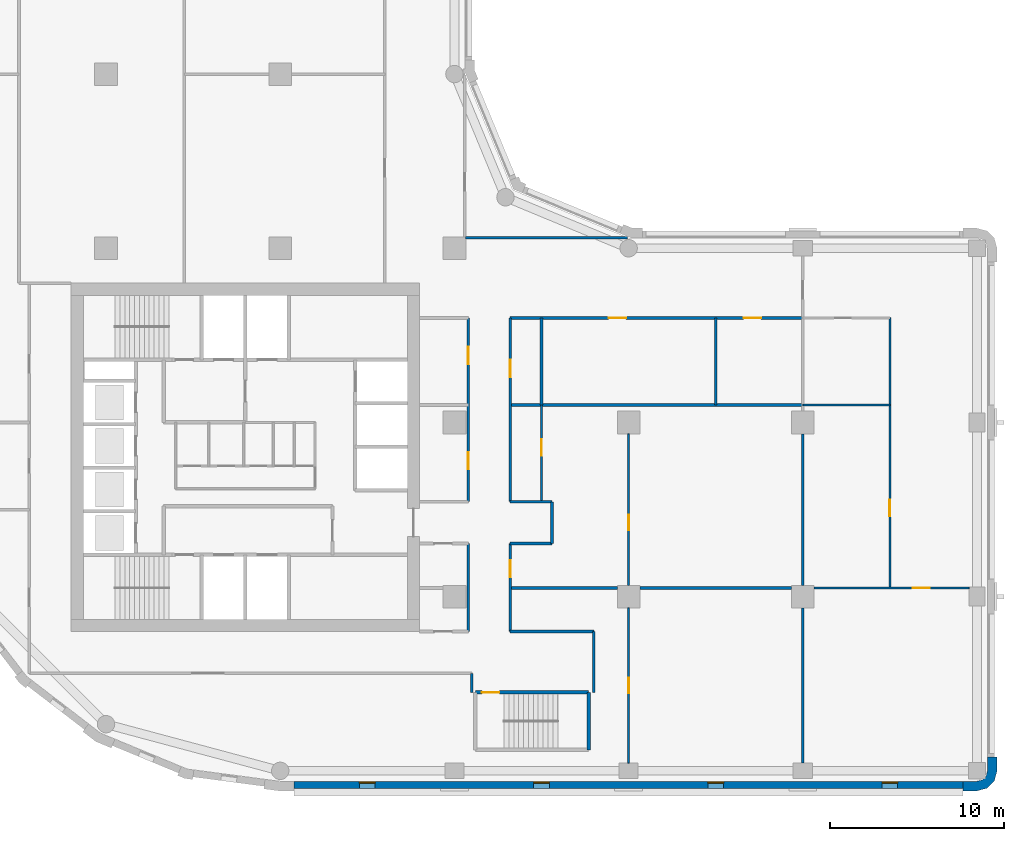
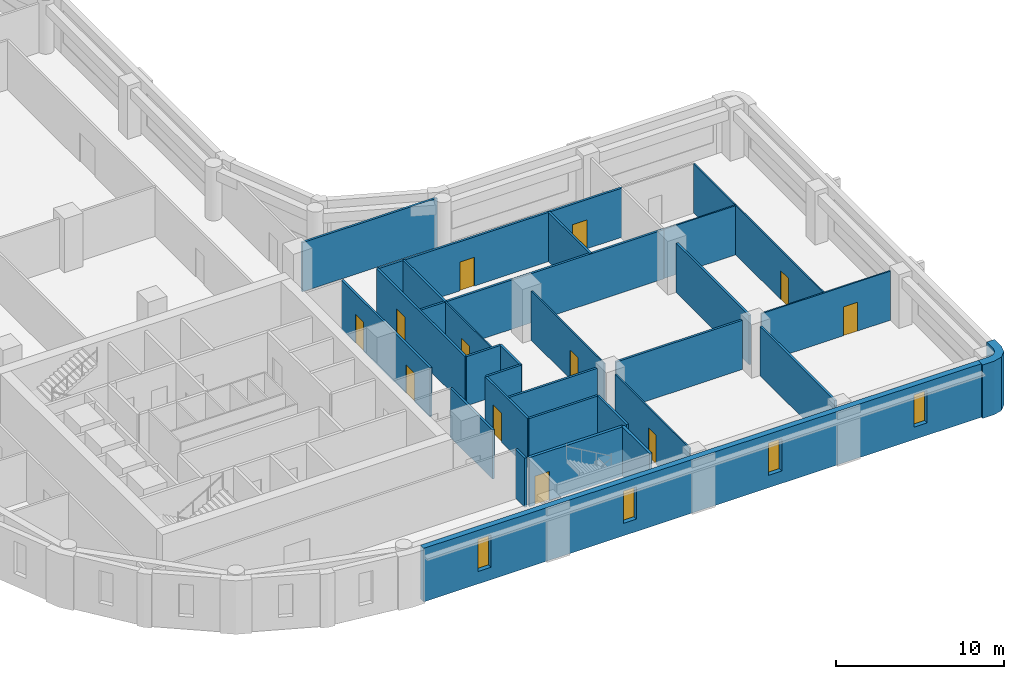
# One storey, part 4 of 10: 29 walls, 12 doors, 4 windows, 16 openings.
"""IFC4 building model written with IfcOpenShell, lengths in metres."""

from ifc_helpers import new_model, si_unit, direction, frame, frame_2d, origin, place, context, subcontext, project, spatial, polyline, rectangle, outline, extrude, material, layer, layer_set, type_object, element, fill, save


model = new_model("IFC4")

# Units and contexts
model_context = context("Model", 3, precision=1e-05, world=origin(), true_north=direction((0.0, 1.0)))
body_context = subcontext(model_context, "Body", "Model", "MODEL_VIEW")
ifc_project = project(units=[si_unit("LENGTHUNIT", "METRE"), si_unit("AREAUNIT", "SQUARE_METRE"), si_unit("VOLUMEUNIT", "CUBIC_METRE"), si_unit("PLANEANGLEUNIT", "RADIAN"), si_unit("MASSUNIT", "GRAM", prefix="KILO")], contexts=[model_context])

# Site, building, storey
site_placement = place(None, origin())
site = spatial("IfcSite", under=ifc_project, at=site_placement, CompositionType="ELEMENT")
building_placement = place(site_placement, origin())
building = spatial("IfcBuilding", under=site, at=building_placement, Name="Qaws Garden Tower", CompositionType="ELEMENT")
storey_placement = place(building_placement, frame((0.0, 0.0, 186.300048828125)))
storey = spatial("IfcBuildingStorey", under=building, at=storey_placement, Name="L45", CompositionType="ELEMENT", Elevation=186.300048828125)

# Wall
ifc_material_1 = material(Name="Clay facing brick masonry", Category="masonry")
ifc_layer_1 = layer(ifc_material_1, 0.550048828125)
ifc_layer_set_1 = layer_set([ifc_layer_1], Name="Clay facing brick masonry")
wall_type_1 = type_object("IfcWallType", Name="Brick corner pier 550 x 2400", PredefinedType="SOLIDWALL", material=ifc_layer_set_1)
wall_1_placement = place(storey_placement, origin())
element("IfcWall", 1, at=wall_1_placement, inside=storey, type_object=wall_type_1, Name="E-L45-pier-04", PredefinedType="SOLIDWALL", context=body_context, shape_type="SweptSolid", body=[
    extrude(outline(polyline([(59.199951171875, -1.0), (59.199951171875, -1.14990234375), (60.0, -1.14990234375), (60.574951171875, -0.995849609375), (60.995849609375, -0.574951171875), (61.14990234375, 0.0), (61.14990234375, 0.800048828125), (61.0, 0.800048828125), (60.60009765625, 0.800048828125), (60.60009765625, 0.0), (60.51953125, -0.300048828125), (60.300048828125, -0.51953125), (60.0, -0.60009765625), (59.199951171875, -0.60009765625), (59.199951171875, -1.0)])), origin(), (0.0, 0.0, 1.0), 3.89990234375),
])

# Wall, openings, windows
ifc_material_2 = material(Name="Clay facing brick masonry", Category="masonry")
ifc_layer_2 = layer(ifc_material_2, 0.39990234375)
ifc_layer_set_2 = layer_set([ifc_layer_2], Name="Clay facing brick masonry")
wall_type_2 = type_object("IfcWallType", Name="Brick infill wall 400", PredefinedType="SOLIDWALL", material=ifc_layer_set_2)
wall_2_placement = place(storey_placement, frame((20.800048828125, -0.800048828125, 0.0), z_axis=(0.0, 0.0, 1.0), x_axis=(1.0, 0.0, 0.0)))
wall_2 = element("IfcWall", 2, at=wall_2_placement, inside=storey, type_object=wall_type_2, Name="E-L45-infill-00", PredefinedType="SOLIDWALL", context=body_context, shape_type="SweptSolid", body=[
    extrude(rectangle(XDim=38.39990234375, YDim=0.39990234375, at=frame_2d((19.199951171875, 0.0))), origin(), (0.0, 0.0, 1.0), 3.89990234375),
])
opening_1_placement = place(wall_2_placement, frame((3.75, 0.0, 0.89990234375)))
opening_1 = element("IfcOpeningElement", 3, at=opening_1_placement, cuts=wall_2, Name="Opening W09", PredefinedType="OPENING", context=body_context, shape_type="SweptSolid", body=[
    extrude(rectangle(XDim=0.89990234375, YDim=2.35009765625, at=frame_2d((0.449951171875, 1.175048828125))), frame((0.0, 0.2099609375, 0.0), z_axis=(0.0, -1.0, 0.0), x_axis=(1.0, 0.0, 0.0)), (0.0, 0.0, 1.0), 0.419921875),
])
opening_2_placement = place(wall_2_placement, frame((13.75, 0.0, 0.89990234375)))
opening_2 = element("IfcOpeningElement", 4, at=opening_2_placement, cuts=wall_2, Name="Opening W09", PredefinedType="OPENING", context=body_context, shape_type="SweptSolid", body=[
    extrude(rectangle(XDim=0.89990234375, YDim=2.35009765625, at=frame_2d((0.449951171875, 1.175048828125))), frame((0.0, 0.2099609375, 0.0), z_axis=(0.0, -1.0, 0.0), x_axis=(1.0, 0.0, 0.0)), (0.0, 0.0, 1.0), 0.419921875),
])
opening_3_placement = place(wall_2_placement, frame((23.75, 0.0, 0.89990234375)))
opening_3 = element("IfcOpeningElement", 5, at=opening_3_placement, cuts=wall_2, Name="Opening W09", PredefinedType="OPENING", context=body_context, shape_type="SweptSolid", body=[
    extrude(rectangle(XDim=0.89990234375, YDim=2.35009765625, at=frame_2d((0.449951171875, 1.175048828125))), frame((0.0, 0.2099609375, 0.0), z_axis=(0.0, -1.0, 0.0), x_axis=(1.0, 0.0, 0.0)), (0.0, 0.0, 1.0), 0.419921875),
])
opening_4_placement = place(wall_2_placement, frame((33.75, 0.0, 0.89990234375)))
opening_4 = element("IfcOpeningElement", 6, at=opening_4_placement, cuts=wall_2, Name="Opening W09", PredefinedType="OPENING", context=body_context, shape_type="SweptSolid", body=[
    extrude(rectangle(XDim=0.89990234375, YDim=2.35009765625, at=frame_2d((0.449951171875, 1.175048828125))), frame((0.0, 0.2099609375, 0.0), z_axis=(0.0, -1.0, 0.0), x_axis=(1.0, 0.0, 0.0)), (0.0, 0.0, 1.0), 0.419921875),
])
ifc_material_3 = material(Name="Aluminium framed window, clear glazing", Category="aluminium")
window_type = type_object("IfcWindowType", Name="Slit window 900 x 2350", PartitioningType="SINGLE_PANEL", PredefinedType="WINDOW", material=ifc_material_3)
window_1_placement = place(opening_1_placement, origin())
window_1 = element("IfcWindow", 7, at=window_1_placement, inside=storey, type_object=window_type, Name="E-L45-window-00-0", OverallHeight=2.35009765625, OverallWidth=0.89990234375, PartitioningType="SINGLE_PANEL", PredefinedType="WINDOW", context=body_context, shape_type="SweptSolid", body=[
    extrude(rectangle(XDim=0.89990234375, YDim=2.35009765625, at=frame_2d((0.449951171875, 1.175048828125))), frame((0.0, 0.159912109375, 0.0), z_axis=(0.0, -1.0, 0.0), x_axis=(1.0, 0.0, 0.0)), (0.0, 0.0, 1.0), 0.06005859375),
])
fill(opening_1, window_1)
window_2_placement = place(opening_2_placement, origin())
window_2 = element("IfcWindow", 8, at=window_2_placement, inside=storey, type_object=window_type, Name="E-L45-window-01-0", OverallHeight=2.35009765625, OverallWidth=0.89990234375, PartitioningType="SINGLE_PANEL", PredefinedType="WINDOW", context=body_context, shape_type="SweptSolid", body=[
    extrude(rectangle(XDim=0.89990234375, YDim=2.35009765625, at=frame_2d((0.449951171875, 1.175048828125))), frame((0.0, 0.159912109375, 0.0), z_axis=(0.0, -1.0, 0.0), x_axis=(1.0, 0.0, 0.0)), (0.0, 0.0, 1.0), 0.06005859375),
])
fill(opening_2, window_2)
window_3_placement = place(opening_3_placement, origin())
window_3 = element("IfcWindow", 9, at=window_3_placement, inside=storey, type_object=window_type, Name="E-L45-window-02-0", OverallHeight=2.35009765625, OverallWidth=0.89990234375, PartitioningType="SINGLE_PANEL", PredefinedType="WINDOW", context=body_context, shape_type="SweptSolid", body=[
    extrude(rectangle(XDim=0.89990234375, YDim=2.35009765625, at=frame_2d((0.449951171875, 1.175048828125))), frame((0.0, 0.159912109375, 0.0), z_axis=(0.0, -1.0, 0.0), x_axis=(1.0, 0.0, 0.0)), (0.0, 0.0, 1.0), 0.06005859375),
])
fill(opening_3, window_3)
window_4_placement = place(opening_4_placement, origin())
window_4 = element("IfcWindow", 10, at=window_4_placement, inside=storey, type_object=window_type, Name="E-L45-window-03-0", OverallHeight=2.35009765625, OverallWidth=0.89990234375, PartitioningType="SINGLE_PANEL", PredefinedType="WINDOW", context=body_context, shape_type="SweptSolid", body=[
    extrude(rectangle(XDim=0.89990234375, YDim=2.35009765625, at=frame_2d((0.449951171875, 1.175048828125))), frame((0.0, 0.159912109375, 0.0), z_axis=(0.0, -1.0, 0.0), x_axis=(1.0, 0.0, 0.0)), (0.0, 0.0, 1.0), 0.06005859375),
])
fill(opening_4, window_4)

# Wall, opening, door
ifc_material_4 = material(Name="Concrete C70", Category="concrete")
ifc_layer_3 = layer(ifc_material_4, 0.199951171875)
ifc_layer_set_3 = layer_set([ifc_layer_3], Name="Concrete C70")
wall_type_3 = type_object("IfcWallType", Name="Core shaft wall 200 C70", PredefinedType="SHEAR", material=ifc_layer_set_3)
wall_3_placement = place(storey_placement, frame((31.199951171875, 4.5, 0.0), z_axis=(0.0, 0.0, 1.0), x_axis=(1.0, 0.0, 0.0)))
wall_3 = element("IfcWall", 11, at=wall_3_placement, inside=storey, type_object=wall_type_3, Name="Shaft wall", PredefinedType="SHEAR", context=body_context, shape_type="SweptSolid", body=[
    extrude(rectangle(XDim=6.5, YDim=0.199951171875, at=frame_2d((3.25, 0.0))), origin(), (0.0, 0.0, 1.0), 3.579833984375),
])
opening_5_placement = place(wall_3_placement, frame((0.375, 0.0, 0.0)))
opening_5 = element("IfcOpeningElement", 12, at=opening_5_placement, cuts=wall_3, Name="Opening SD12", PredefinedType="OPENING", context=body_context, shape_type="SweptSolid", body=[
    extrude(rectangle(XDim=1.0, YDim=2.10009765625, at=frame_2d((0.5, 1.050048828125))), frame((0.0, 0.10986328125, 0.0), z_axis=(0.0, -1.0, 0.0), x_axis=(1.0, 0.0, 0.0)), (0.0, 0.0, 1.0), 0.219970703125),
])
ifc_material_5 = material(Name="Steel S235", Category="steel")
door_type_1 = type_object("IfcDoorType", Name="Stair door 1000x2100", OperationType="SINGLE_SWING_RIGHT", PredefinedType="DOOR", material=ifc_material_5)
door_1_placement = place(opening_5_placement, frame((1.0, 0.0, 0.0), z_axis=(0.0, 0.0, 1.0), x_axis=(-1.0, 0.0, 0.0)))
door_1 = element("IfcDoor", 13, at=door_1_placement, inside=storey, type_object=door_type_1, Name="Stair 5 door", OperationType="SINGLE_SWING_RIGHT", OverallHeight=2.10009765625, OverallWidth=1.0, PredefinedType="DOOR", context=body_context, shape_type="SweptSolid", body=[
    extrude(rectangle(XDim=1.0, YDim=2.10009765625, at=frame_2d((0.5, 1.050048828125))), frame((0.0, 0.02490234375, 0.0), z_axis=(0.0, -1.0, 0.0), x_axis=(1.0, 0.0, 0.0)), (0.0, 0.0, 1.0), 0.050048828125),
])
fill(opening_5, door_1)

# Wall
wall_4_placement = place(storey_placement, frame((37.699951171875, 1.199951171875, 0.0), z_axis=(0.0, 0.0, 1.0), x_axis=(0.0, 1.0, 0.0)))
element("IfcWall", 14, at=wall_4_placement, inside=storey, type_object=wall_type_3, Name="Shaft wall", PredefinedType="SHEAR", context=body_context, shape_type="SweptSolid", body=[
    extrude(rectangle(XDim=3.300048828125, YDim=0.199951171875, at=frame_2d((1.64990234375, 0.0))), origin(), (0.0, 0.0, 1.0), 3.579833984375),
])

# Wall, opening, door
ifc_material_6 = material(Name="Gypsum board partition")
ifc_layer_4 = layer(ifc_material_6, 0.10009765625)
ifc_layer_set_4 = layer_set([ifc_layer_4], Name="Gypsum board partition")
wall_type_4 = type_object("IfcWallType", Name="PARTITION 100", PredefinedType="PARTITIONING", material=ifc_layer_set_4)
wall_5_placement = place(storey_placement, frame((35.0, 15.450927734375, 0.0), z_axis=(0.0, 0.0, 1.0), x_axis=(0.0, 1.0, 0.0)))
wall_5 = element("IfcWall", 15, at=wall_5_placement, inside=storey, type_object=wall_type_4, Name="O-L45-wall-001", PredefinedType="PARTITIONING", context=body_context, shape_type="SweptSolid", body=[
    extrude(rectangle(XDim=5.548095703125, YDim=0.10009765625, at=frame_2d((2.77392578125, 0.0))), origin(), (0.0, 0.0, 1.0), 3.579833984375),
])
opening_6_placement = place(wall_5_placement, frame((2.625, 0.0, 0.0)))
opening_6 = element("IfcOpeningElement", 16, at=opening_6_placement, cuts=wall_5, Name="Opening B525", PredefinedType="OPENING", context=body_context, shape_type="SweptSolid", body=[
    extrude(rectangle(XDim=0.949951171875, YDim=2.10009765625, at=frame_2d((0.47509765625, 1.050048828125))), frame((0.0, 0.06005859375, 0.0), z_axis=(0.0, -1.0, 0.0), x_axis=(1.0, 0.0, 0.0)), (0.0, 0.0, 1.0), 0.1201171875),
])
ifc_material_7 = material(Name="Timber and glass door leaf", Category="wood")
door_type_2 = type_object("IfcDoorType", Name="GLAZED DOOR 950 X 2100", OperationType="SINGLE_SWING_LEFT", PredefinedType="DOOR", material=ifc_material_7)
door_2_placement = place(opening_6_placement, origin())
door_2 = element("IfcDoor", 17, at=door_2_placement, inside=storey, type_object=door_type_2, Name="O-L45-door-025", OperationType="SINGLE_SWING_RIGHT", OverallHeight=2.10009765625, OverallWidth=0.949951171875, PredefinedType="DOOR", context=body_context, shape_type="SweptSolid", body=[
    extrude(rectangle(XDim=0.949951171875, YDim=2.10009765625, at=frame_2d((0.47509765625, 1.050048828125))), frame((0.0, 0.02490234375, 0.0), z_axis=(0.0, -1.0, 0.0), x_axis=(1.0, 0.0, 0.0)), (0.0, 0.0, 1.0), 0.050048828125),
])
fill(opening_6, door_2)

wall_6_placement = place(storey_placement, frame((40.0, 0.449951171875, 0.0), z_axis=(0.0, 0.0, 1.0), x_axis=(0.0, 1.0, 0.0)))
wall_6 = element("IfcWall", 18, at=wall_6_placement, inside=storey, type_object=wall_type_4, Name="O-L45-wall-002", PredefinedType="PARTITIONING", context=body_context, shape_type="SweptSolid", body=[
    extrude(rectangle(XDim=8.900146484375, YDim=0.10009765625, at=frame_2d((4.4501953125, 0.0))), origin(), (0.0, 0.0, 1.0), 3.579833984375),
])
opening_7_placement = place(wall_6_placement, frame((4.0, 0.0, 0.0)))
opening_7 = element("IfcOpeningElement", 19, at=opening_7_placement, cuts=wall_6, Name="Opening B522", PredefinedType="OPENING", context=body_context, shape_type="SweptSolid", body=[
    extrude(rectangle(XDim=0.89990234375, YDim=2.10009765625, at=frame_2d((0.449951171875, 1.050048828125))), frame((0.0, 0.06005859375, 0.0), z_axis=(0.0, -1.0, 0.0), x_axis=(1.0, 0.0, 0.0)), (0.0, 0.0, 1.0), 0.1201171875),
])
ifc_material_8 = material(Name="Timber door leaf", Category="wood")
door_type_3 = type_object("IfcDoorType", Name="OFFICE DOOR 900 X 2100", OperationType="SINGLE_SWING_LEFT", PredefinedType="DOOR", material=ifc_material_8)
door_3_placement = place(opening_7_placement, frame((0.89990234375, 0.0, 0.0), z_axis=(0.0, 0.0, 1.0), x_axis=(-1.0, 0.0, 0.0)))
door_3 = element("IfcDoor", 20, at=door_3_placement, inside=storey, type_object=door_type_3, Name="O-L45-door-022", OperationType="SINGLE_SWING_LEFT", OverallHeight=2.10009765625, OverallWidth=0.89990234375, PredefinedType="DOOR", context=body_context, shape_type="SweptSolid", body=[
    extrude(rectangle(XDim=0.89990234375, YDim=2.10009765625, at=frame_2d((0.449951171875, 1.050048828125))), frame((0.0, 0.02490234375, 0.0), z_axis=(0.0, -1.0, 0.0), x_axis=(1.0, 0.0, 0.0)), (0.0, 0.0, 1.0), 0.050048828125),
])
fill(opening_7, door_3)

wall_7_placement = place(storey_placement, frame((40.0, 10.64990234375, 0.0), z_axis=(0.0, 0.0, 1.0), x_axis=(0.0, 1.0, 0.0)))
wall_7 = element("IfcWall", 21, at=wall_7_placement, inside=storey, type_object=wall_type_4, Name="O-L45-wall-003", PredefinedType="PARTITIONING", context=body_context, shape_type="SweptSolid", body=[
    extrude(rectangle(XDim=8.7001953125, YDim=0.10009765625, at=frame_2d((4.35009765625, 0.0))), origin(), (0.0, 0.0, 1.0), 3.579833984375),
])
opening_8_placement = place(wall_7_placement, frame((3.14990234375, 0.0, 0.0)))
opening_8 = element("IfcOpeningElement", 22, at=opening_8_placement, cuts=wall_7, Name="Opening B520", PredefinedType="OPENING", context=body_context, shape_type="SweptSolid", body=[
    extrude(rectangle(XDim=0.89990234375, YDim=2.10009765625, at=frame_2d((0.449951171875, 1.050048828125))), frame((0.0, 0.06005859375, 0.0), z_axis=(0.0, -1.0, 0.0), x_axis=(1.0, 0.0, 0.0)), (0.0, 0.0, 1.0), 0.1201171875),
])
door_4_placement = place(opening_8_placement, origin())
door_4 = element("IfcDoor", 23, at=door_4_placement, inside=storey, type_object=door_type_3, Name="O-L45-door-020", OperationType="SINGLE_SWING_RIGHT", OverallHeight=2.10009765625, OverallWidth=0.89990234375, PredefinedType="DOOR", context=body_context, shape_type="SweptSolid", body=[
    extrude(rectangle(XDim=0.89990234375, YDim=2.10009765625, at=frame_2d((0.449951171875, 1.050048828125))), frame((0.0, 0.02490234375, 0.0), z_axis=(0.0, -1.0, 0.0), x_axis=(1.0, 0.0, 0.0)), (0.0, 0.0, 1.0), 0.050048828125),
])
fill(opening_8, door_4)

wall_8_placement = place(storey_placement, frame((55.0, 10.5, 0.0), z_axis=(0.0, 0.0, 1.0), x_axis=(0.0, 1.0, 0.0)))
wall_8 = element("IfcWall", 24, at=wall_8_placement, inside=storey, type_object=wall_type_4, Name="O-L45-wall-004", PredefinedType="PARTITIONING", context=body_context, shape_type="SweptSolid", body=[
    extrude(rectangle(XDim=15.5, YDim=0.10009765625, at=frame_2d((7.75, 0.0))), origin(), (0.0, 0.0, 1.0), 3.579833984375),
])
opening_9_placement = place(wall_8_placement, frame((4.125, 0.0, 0.0)))
opening_9 = element("IfcOpeningElement", 25, at=opening_9_placement, cuts=wall_8, Name="Opening B521", PredefinedType="OPENING", context=body_context, shape_type="SweptSolid", body=[
    extrude(rectangle(XDim=0.949951171875, YDim=2.10009765625, at=frame_2d((0.47509765625, 1.050048828125))), frame((0.0, 0.06005859375, 0.0), z_axis=(0.0, -1.0, 0.0), x_axis=(1.0, 0.0, 0.0)), (0.0, 0.0, 1.0), 0.1201171875),
])
door_5_placement = place(opening_9_placement, origin())
door_5 = element("IfcDoor", 26, at=door_5_placement, inside=storey, type_object=door_type_2, Name="O-L45-door-021", OperationType="SINGLE_SWING_RIGHT", OverallHeight=2.10009765625, OverallWidth=0.949951171875, PredefinedType="DOOR", context=body_context, shape_type="SweptSolid", body=[
    extrude(rectangle(XDim=0.949951171875, YDim=2.10009765625, at=frame_2d((0.47509765625, 1.050048828125))), frame((0.0, 0.02490234375, 0.0), z_axis=(0.0, -1.0, 0.0), x_axis=(1.0, 0.0, 0.0)), (0.0, 0.0, 1.0), 0.050048828125),
])
fill(opening_9, door_5)

wall_9_placement = place(storey_placement, frame((50.64990234375, 10.5, 0.0), z_axis=(0.0, 0.0, 1.0), x_axis=(1.0, 0.0, 0.0)))
wall_9 = element("IfcWall", 27, at=wall_9_placement, inside=storey, type_object=wall_type_4, Name="O-L45-wall-005", PredefinedType="PARTITIONING", context=body_context, shape_type="SweptSolid", body=[
    extrude(rectangle(XDim=8.900146484375, YDim=0.10009765625, at=frame_2d((4.4501953125, 0.0))), origin(), (0.0, 0.0, 1.0), 3.579833984375),
])
opening_10_placement = place(wall_9_placement, frame((5.675048828125, 0.0, 0.0)))
opening_10 = element("IfcOpeningElement", 28, at=opening_10_placement, cuts=wall_9, Name="Opening B523", PredefinedType="OPENING", context=body_context, shape_type="SweptSolid", body=[
    extrude(rectangle(XDim=0.949951171875, YDim=2.10009765625, at=frame_2d((0.47509765625, 1.050048828125))), frame((0.0, 0.06005859375, 0.0), z_axis=(0.0, -1.0, 0.0), x_axis=(1.0, 0.0, 0.0)), (0.0, 0.0, 1.0), 0.1201171875),
])
door_6_placement = place(opening_10_placement, frame((0.949951171875, 0.0, 0.0), z_axis=(0.0, 0.0, 1.0), x_axis=(-1.0, 0.0, 0.0)))
door_6 = element("IfcDoor", 29, at=door_6_placement, inside=storey, type_object=door_type_2, Name="O-L45-door-023", OperationType="SINGLE_SWING_RIGHT", OverallHeight=2.10009765625, OverallWidth=0.949951171875, PredefinedType="DOOR", context=body_context, shape_type="SweptSolid", body=[
    extrude(rectangle(XDim=0.949951171875, YDim=2.10009765625, at=frame_2d((0.47509765625, 1.050048828125))), frame((0.0, 0.02490234375, 0.0), z_axis=(0.0, -1.0, 0.0), x_axis=(1.0, 0.0, 0.0)), (0.0, 0.0, 1.0), 0.050048828125),
])
fill(opening_10, door_6)

# Walls
wall_10_placement = place(storey_placement, frame((50.0, 21.0, 0.0), z_axis=(0.0, 0.0, 1.0), x_axis=(1.0, 0.0, 0.0)))
element("IfcWall", 30, at=wall_10_placement, inside=storey, type_object=wall_type_4, Name="O-L45-wall-006", PredefinedType="PARTITIONING", context=body_context, shape_type="SweptSolid", body=[
    extrude(rectangle(XDim=5.0, YDim=0.10009765625, at=frame_2d((2.5, 0.0))), origin(), (0.0, 0.0, 1.0), 3.579833984375),
])
ifc_material_9 = material(Name="Gypsum board partition")
ifc_layer_5 = layer(ifc_material_9, 0.14990234375)
ifc_layer_set_5 = layer_set([ifc_layer_5], Name="Gypsum board partition")
wall_type_5 = type_object("IfcWallType", Name="PARTITION 150 EI 60", PredefinedType="PARTITIONING", material=ifc_layer_set_5)
wall_11_placement = place(storey_placement, frame((30.800048828125, 8.0, 0.0), z_axis=(0.0, 0.0, 1.0), x_axis=(0.0, 1.0, 0.0)))
element("IfcWall", 31, at=wall_11_placement, inside=storey, type_object=wall_type_5, Name="O-L45-wall-016", PredefinedType="PARTITIONING", context=body_context, shape_type="SweptSolid", body=[
    extrude(rectangle(XDim=5.050048828125, YDim=0.14990234375, at=frame_2d((2.52490234375, 0.0))), origin(), (0.0, 0.0, 1.0), 3.579833984375),
])

# Wall, openings, doors
wall_12_placement = place(storey_placement, frame((30.800048828125, 15.449951171875, 0.0), z_axis=(0.0, 0.0, 1.0), x_axis=(0.0, 1.0, 0.0)))
wall_12 = element("IfcWall", 32, at=wall_12_placement, inside=storey, type_object=wall_type_5, Name="O-L45-wall-017", PredefinedType="PARTITIONING", context=body_context, shape_type="SweptSolid", body=[
    extrude(rectangle(XDim=10.550048828125, YDim=0.14990234375, at=frame_2d((5.27490234375, 0.0))), origin(), (0.0, 0.0, 1.0), 3.579833984375),
])
opening_11_placement = place(wall_12_placement, frame((1.85009765625, 0.0, 0.0)))
opening_11 = element("IfcOpeningElement", 33, at=opening_11_placement, cuts=wall_12, Name="Opening B503", PredefinedType="OPENING", context=body_context, shape_type="SweptSolid", body=[
    extrude(rectangle(XDim=1.0, YDim=2.10009765625, at=frame_2d((0.5, 1.050048828125))), frame((0.0, 0.0849609375, 0.0), z_axis=(0.0, -1.0, 0.0), x_axis=(1.0, 0.0, 0.0)), (0.0, 0.0, 1.0), 0.169921875),
])
opening_12_placement = place(wall_12_placement, frame((7.89990234375, 0.0, 0.0)))
opening_12 = element("IfcOpeningElement", 34, at=opening_12_placement, cuts=wall_12, Name="Opening B515", PredefinedType="OPENING", context=body_context, shape_type="SweptSolid", body=[
    extrude(rectangle(XDim=1.0, YDim=2.10009765625, at=frame_2d((0.5, 1.050048828125))), frame((0.0, 0.0849609375, 0.0), z_axis=(0.0, -1.0, 0.0), x_axis=(1.0, 0.0, 0.0)), (0.0, 0.0, 1.0), 0.169921875),
])
ifc_material_10 = material(Name="Timber door leaf", Category="wood")
door_type_4 = type_object("IfcDoorType", Name="TENANCY ENTRANCE DOOR 1000 X 2100", OperationType="SINGLE_SWING_LEFT", PredefinedType="DOOR", material=ifc_material_10)
door_7_placement = place(opening_11_placement, origin())
door_7 = element("IfcDoor", 35, at=door_7_placement, inside=storey, type_object=door_type_4, Name="O-L45-door-003", OperationType="SINGLE_SWING_RIGHT", OverallHeight=2.10009765625, OverallWidth=1.0, PredefinedType="DOOR", context=body_context, shape_type="SweptSolid", body=[
    extrude(rectangle(XDim=1.0, YDim=2.10009765625, at=frame_2d((0.5, 1.050048828125))), frame((0.0, 0.02490234375, 0.0), z_axis=(0.0, -1.0, 0.0), x_axis=(1.0, 0.0, 0.0)), (0.0, 0.0, 1.0), 0.050048828125),
])
fill(opening_11, door_7)
door_8_placement = place(opening_12_placement, origin())
door_8 = element("IfcDoor", 36, at=door_8_placement, inside=storey, type_object=door_type_4, Name="O-L45-door-015", OperationType="SINGLE_SWING_RIGHT", OverallHeight=2.10009765625, OverallWidth=1.0, PredefinedType="DOOR", context=body_context, shape_type="SweptSolid", body=[
    extrude(rectangle(XDim=1.0, YDim=2.10009765625, at=frame_2d((0.5, 1.050048828125))), frame((0.0, 0.02490234375, 0.0), z_axis=(0.0, -1.0, 0.0), x_axis=(1.0, 0.0, 0.0)), (0.0, 0.0, 1.0), 0.050048828125),
])
fill(opening_12, door_8)

# Wall
wall_13_placement = place(storey_placement, frame((31.0, 4.5, 0.0), z_axis=(0.0, 0.0, 1.0), x_axis=(0.0, 1.0, 0.0)))
element("IfcWall", 37, at=wall_13_placement, inside=storey, type_object=wall_type_5, Name="O-L45-wall-018", PredefinedType="PARTITIONING", context=body_context, shape_type="SweptSolid", body=[
    extrude(rectangle(XDim=1.10009765625, YDim=0.14990234375, at=frame_2d((0.550048828125, 0.0))), origin(), (0.0, 0.0, 1.0), 3.579833984375),
])

# Wall, opening, door
wall_14_placement = place(storey_placement, frame((33.199951171875, 8.0, 0.0), z_axis=(0.0, 0.0, 1.0), x_axis=(0.0, 1.0, 0.0)))
wall_14 = element("IfcWall", 38, at=wall_14_placement, inside=storey, type_object=wall_type_5, Name="O-L45-wall-019", PredefinedType="PARTITIONING", context=body_context, shape_type="SweptSolid", body=[
    extrude(rectangle(XDim=5.049072265625, YDim=0.14990234375, at=frame_2d((2.5244140625, 0.0))), origin(), (0.0, 0.0, 1.0), 3.579833984375),
])
opening_13_placement = place(wall_14_placement, frame((3.10009765625, 0.0, 0.0)))
opening_13 = element("IfcOpeningElement", 39, at=opening_13_placement, cuts=wall_14, Name="Opening B504", PredefinedType="OPENING", context=body_context, shape_type="SweptSolid", body=[
    extrude(rectangle(XDim=1.0, YDim=2.10009765625, at=frame_2d((0.5, 1.050048828125))), frame((0.0, 0.0849609375, 0.0), z_axis=(0.0, -1.0, 0.0), x_axis=(1.0, 0.0, 0.0)), (0.0, 0.0, 1.0), 0.169921875),
])
door_9_placement = place(opening_13_placement, frame((1.0, 0.0, 0.0), z_axis=(0.0, 0.0, 1.0), x_axis=(-1.0, 0.0, 0.0)))
door_9 = element("IfcDoor", 40, at=door_9_placement, inside=storey, type_object=door_type_4, Name="O-L45-door-004", OperationType="SINGLE_SWING_RIGHT", OverallHeight=2.10009765625, OverallWidth=1.0, PredefinedType="DOOR", context=body_context, shape_type="SweptSolid", body=[
    extrude(rectangle(XDim=1.0, YDim=2.10009765625, at=frame_2d((0.5, 1.050048828125))), frame((0.0, 0.02490234375, 0.0), z_axis=(0.0, -1.0, 0.0), x_axis=(1.0, 0.0, 0.0)), (0.0, 0.0, 1.0), 0.050048828125),
])
fill(opening_13, door_9)

wall_15_placement = place(storey_placement, frame((33.199951171875, 15.449951171875, 0.0), z_axis=(0.0, 0.0, 1.0), x_axis=(0.0, 1.0, 0.0)))
wall_15 = element("IfcWall", 41, at=wall_15_placement, inside=storey, type_object=wall_type_5, Name="O-L45-wall-020", PredefinedType="PARTITIONING", context=body_context, shape_type="SweptSolid", body=[
    extrude(rectangle(XDim=10.550048828125, YDim=0.14990234375, at=frame_2d((5.27490234375, 0.0))), origin(), (0.0, 0.0, 1.0), 3.579833984375),
])
opening_14_placement = place(wall_15_placement, frame((7.14990234375, 0.0, 0.0)))
opening_14 = element("IfcOpeningElement", 42, at=opening_14_placement, cuts=wall_15, Name="Opening B516", PredefinedType="OPENING", context=body_context, shape_type="SweptSolid", body=[
    extrude(rectangle(XDim=1.0, YDim=2.10009765625, at=frame_2d((0.5, 1.050048828125))), frame((0.0, 0.0849609375, 0.0), z_axis=(0.0, -1.0, 0.0), x_axis=(1.0, 0.0, 0.0)), (0.0, 0.0, 1.0), 0.169921875),
])
door_10_placement = place(opening_14_placement, frame((1.0, 0.0, 0.0), z_axis=(0.0, 0.0, 1.0), x_axis=(-1.0, 0.0, 0.0)))
door_10 = element("IfcDoor", 43, at=door_10_placement, inside=storey, type_object=door_type_4, Name="O-L45-door-016", OperationType="SINGLE_SWING_LEFT", OverallHeight=2.10009765625, OverallWidth=1.0, PredefinedType="DOOR", context=body_context, shape_type="SweptSolid", body=[
    extrude(rectangle(XDim=1.0, YDim=2.10009765625, at=frame_2d((0.5, 1.050048828125))), frame((0.0, 0.02490234375, 0.0), z_axis=(0.0, -1.0, 0.0), x_axis=(1.0, 0.0, 0.0)), (0.0, 0.0, 1.0), 0.050048828125),
])
fill(opening_14, door_10)

# Walls
wall_16_placement = place(storey_placement, frame((35.0, 21.0, 0.0), z_axis=(0.0, 0.0, 1.0), x_axis=(0.0, 1.0, 0.0)))
element("IfcWall", 44, at=wall_16_placement, inside=storey, type_object=wall_type_5, Name="O-L45-wall-021", PredefinedType="PARTITIONING", context=body_context, shape_type="SweptSolid", body=[
    extrude(rectangle(XDim=5.0, YDim=0.14990234375, at=frame_2d((2.5, 0.0))), origin(), (0.0, 0.0, 1.0), 3.579833984375),
])
wall_17_placement = place(storey_placement, frame((35.60009765625, 13.052001953125, 0.0), z_axis=(0.0, 0.0, 1.0), x_axis=(0.0, 1.0, 0.0)))
element("IfcWall", 45, at=wall_17_placement, inside=storey, type_object=wall_type_5, Name="O-L45-wall-022", PredefinedType="PARTITIONING", context=body_context, shape_type="SweptSolid", body=[
    extrude(rectangle(XDim=2.39599609375, YDim=0.14990234375, at=frame_2d((1.197998046875, 0.0))), origin(), (0.0, 0.0, 1.0), 3.579833984375),
])
wall_18_placement = place(storey_placement, frame((38.0, 4.5, 0.0), z_axis=(0.0, 0.0, 1.0), x_axis=(0.0, 1.0, 0.0)))
element("IfcWall", 46, at=wall_18_placement, inside=storey, type_object=wall_type_5, Name="O-L45-wall-023", PredefinedType="PARTITIONING", context=body_context, shape_type="SweptSolid", body=[
    extrude(rectangle(XDim=3.5, YDim=0.14990234375, at=frame_2d((1.75, 0.0))), origin(), (0.0, 0.0, 1.0), 3.579833984375),
])
wall_19_placement = place(storey_placement, frame((45.0, 21.0, 0.0), z_axis=(0.0, 0.0, 1.0), x_axis=(0.0, 1.0, 0.0)))
element("IfcWall", 47, at=wall_19_placement, inside=storey, type_object=wall_type_5, Name="O-L45-wall-024", PredefinedType="PARTITIONING", context=body_context, shape_type="SweptSolid", body=[
    extrude(rectangle(XDim=5.0, YDim=0.14990234375, at=frame_2d((2.5, 0.0))), origin(), (0.0, 0.0, 1.0), 3.579833984375),
])
wall_20_placement = place(storey_placement, frame((50.0, 0.449951171875, 0.0), z_axis=(0.0, 0.0, 1.0), x_axis=(0.0, 1.0, 0.0)))
element("IfcWall", 48, at=wall_20_placement, inside=storey, type_object=wall_type_5, Name="O-L45-wall-025", PredefinedType="PARTITIONING", context=body_context, shape_type="SweptSolid", body=[
    extrude(rectangle(XDim=8.900146484375, YDim=0.14990234375, at=frame_2d((4.4501953125, 0.0))), origin(), (0.0, 0.0, 1.0), 3.579833984375),
])
wall_21_placement = place(storey_placement, frame((50.0, 10.64990234375, 0.0), z_axis=(0.0, 0.0, 1.0), x_axis=(0.0, 1.0, 0.0)))
element("IfcWall", 49, at=wall_21_placement, inside=storey, type_object=wall_type_5, Name="O-L45-wall-026", PredefinedType="PARTITIONING", context=body_context, shape_type="SweptSolid", body=[
    extrude(rectangle(XDim=8.7001953125, YDim=0.14990234375, at=frame_2d((4.35009765625, 0.0))), origin(), (0.0, 0.0, 1.0), 3.579833984375),
])
wall_22_placement = place(storey_placement, frame((33.199951171875, 8.0, 0.0), z_axis=(0.0, 0.0, 1.0), x_axis=(1.0, 0.0, 0.0)))
element("IfcWall", 50, at=wall_22_placement, inside=storey, type_object=wall_type_5, Name="O-L45-wall-030", PredefinedType="PARTITIONING", context=body_context, shape_type="SweptSolid", body=[
    extrude(rectangle(XDim=4.800048828125, YDim=0.14990234375, at=frame_2d((2.39990234375, 0.0))), origin(), (0.0, 0.0, 1.0), 3.579833984375),
])
wall_23_placement = place(storey_placement, frame((33.200927734375, 10.5, 0.0), z_axis=(0.0, 0.0, 1.0), x_axis=(1.0, 0.0, 0.0)))
element("IfcWall", 51, at=wall_23_placement, inside=storey, type_object=wall_type_5, Name="O-L45-wall-032", PredefinedType="PARTITIONING", context=body_context, shape_type="SweptSolid", body=[
    extrude(rectangle(XDim=6.149169921875, YDim=0.14990234375, at=frame_2d((3.07470703125, 0.0))), origin(), (0.0, 0.0, 1.0), 3.579833984375),
])
wall_24_placement = place(storey_placement, frame((40.64990234375, 10.5, 0.0), z_axis=(0.0, 0.0, 1.0), x_axis=(1.0, 0.0, 0.0)))
element("IfcWall", 52, at=wall_24_placement, inside=storey, type_object=wall_type_5, Name="O-L45-wall-033", PredefinedType="PARTITIONING", context=body_context, shape_type="SweptSolid", body=[
    extrude(rectangle(XDim=8.7001953125, YDim=0.14990234375, at=frame_2d((4.35009765625, 0.0))), origin(), (0.0, 0.0, 1.0), 3.579833984375),
])
wall_25_placement = place(storey_placement, frame((33.200927734375, 13.050048828125, 0.0), z_axis=(0.0, 0.0, 1.0), x_axis=(1.0, 0.0, 0.0)))
element("IfcWall", 53, at=wall_25_placement, inside=storey, type_object=wall_type_5, Name="O-L45-wall-035", PredefinedType="PARTITIONING", context=body_context, shape_type="SweptSolid", body=[
    extrude(rectangle(XDim=2.39697265625, YDim=0.14990234375, at=frame_2d((1.198486328125, 0.0))), origin(), (0.0, 0.0, 1.0), 3.579833984375),
])
wall_26_placement = place(storey_placement, frame((33.199951171875, 15.449951171875, 0.0), z_axis=(0.0, 0.0, 1.0), x_axis=(1.0, 0.0, 0.0)))
element("IfcWall", 54, at=wall_26_placement, inside=storey, type_object=wall_type_5, Name="O-L45-wall-038", PredefinedType="PARTITIONING", context=body_context, shape_type="SweptSolid", body=[
    extrude(rectangle(XDim=2.39794921875, YDim=0.14990234375, at=frame_2d((1.198974609375, 0.0))), origin(), (0.0, 0.0, 1.0), 3.579833984375),
])
wall_27_placement = place(storey_placement, frame((33.199951171875, 21.0, 0.0), z_axis=(0.0, 0.0, 1.0), x_axis=(1.0, 0.0, 0.0)))
element("IfcWall", 55, at=wall_27_placement, inside=storey, type_object=wall_type_5, Name="O-L45-wall-041", PredefinedType="PARTITIONING", context=body_context, shape_type="SweptSolid", body=[
    extrude(rectangle(XDim=16.800048828125, YDim=0.14990234375, at=frame_2d((8.39990234375, 0.0))), origin(), (0.0, 0.0, 1.0), 3.579833984375),
])

# Wall, openings, doors
wall_28_placement = place(storey_placement, frame((33.199951171875, 26.0, 0.0), z_axis=(0.0, 0.0, 1.0), x_axis=(1.0, 0.0, 0.0)))
wall_28 = element("IfcWall", 56, at=wall_28_placement, inside=storey, type_object=wall_type_5, Name="O-L45-wall-043", PredefinedType="PARTITIONING", context=body_context, shape_type="SweptSolid", body=[
    extrude(rectangle(XDim=16.800048828125, YDim=0.14990234375, at=frame_2d((8.39990234375, 0.0))), origin(), (0.0, 0.0, 1.0), 3.579833984375),
])
opening_15_placement = place(wall_28_placement, frame((5.64990234375, 0.0, 0.0)))
opening_15 = element("IfcOpeningElement", 57, at=opening_15_placement, cuts=wall_28, Name="Opening B517", PredefinedType="OPENING", context=body_context, shape_type="SweptSolid", body=[
    extrude(rectangle(XDim=1.0, YDim=2.10009765625, at=frame_2d((0.5, 1.050048828125))), frame((0.0, 0.0849609375, 0.0), z_axis=(0.0, -1.0, 0.0), x_axis=(1.0, 0.0, 0.0)), (0.0, 0.0, 1.0), 0.169921875),
])
opening_16_placement = place(wall_28_placement, frame((13.39990234375, 0.0, 0.0)))
opening_16 = element("IfcOpeningElement", 58, at=opening_16_placement, cuts=wall_28, Name="Opening B518", PredefinedType="OPENING", context=body_context, shape_type="SweptSolid", body=[
    extrude(rectangle(XDim=1.0, YDim=2.10009765625, at=frame_2d((0.5, 1.050048828125))), frame((0.0, 0.0849609375, 0.0), z_axis=(0.0, -1.0, 0.0), x_axis=(1.0, 0.0, 0.0)), (0.0, 0.0, 1.0), 0.169921875),
])
door_11_placement = place(opening_15_placement, frame((1.0, 0.0, 0.0), z_axis=(0.0, 0.0, 1.0), x_axis=(-1.0, 0.0, 0.0)))
door_11 = element("IfcDoor", 59, at=door_11_placement, inside=storey, type_object=door_type_4, Name="O-L45-door-017", OperationType="SINGLE_SWING_RIGHT", OverallHeight=2.10009765625, OverallWidth=1.0, PredefinedType="DOOR", context=body_context, shape_type="SweptSolid", body=[
    extrude(rectangle(XDim=1.0, YDim=2.10009765625, at=frame_2d((0.5, 1.050048828125))), frame((0.0, 0.02490234375, 0.0), z_axis=(0.0, -1.0, 0.0), x_axis=(1.0, 0.0, 0.0)), (0.0, 0.0, 1.0), 0.050048828125),
])
fill(opening_15, door_11)
door_12_placement = place(opening_16_placement, frame((1.0, 0.0, 0.0), z_axis=(0.0, 0.0, 1.0), x_axis=(-1.0, 0.0, 0.0)))
door_12 = element("IfcDoor", 60, at=door_12_placement, inside=storey, type_object=door_type_4, Name="O-L45-door-018", OperationType="SINGLE_SWING_RIGHT", OverallHeight=2.10009765625, OverallWidth=1.0, PredefinedType="DOOR", context=body_context, shape_type="SweptSolid", body=[
    extrude(rectangle(XDim=1.0, YDim=2.10009765625, at=frame_2d((0.5, 1.050048828125))), frame((0.0, 0.02490234375, 0.0), z_axis=(0.0, -1.0, 0.0), x_axis=(1.0, 0.0, 0.0)), (0.0, 0.0, 1.0), 0.050048828125),
])
fill(opening_16, door_12)

# Wall
wall_29_placement = place(storey_placement, frame((30.64990234375, 30.60009765625, 0.0), z_axis=(0.0, 0.0, 1.0), x_axis=(1.0, 0.0, 0.0)))
element("IfcWall", 61, at=wall_29_placement, inside=storey, type_object=wall_type_5, Name="O-L45-wall-045", PredefinedType="PARTITIONING", context=body_context, shape_type="SweptSolid", body=[
    extrude(rectangle(XDim=9.288330078125, YDim=0.14990234375, at=frame_2d((4.64404296875, 0.0))), origin(), (0.0, 0.0, 1.0), 3.579833984375),
])

save(model, "model.ifc")
